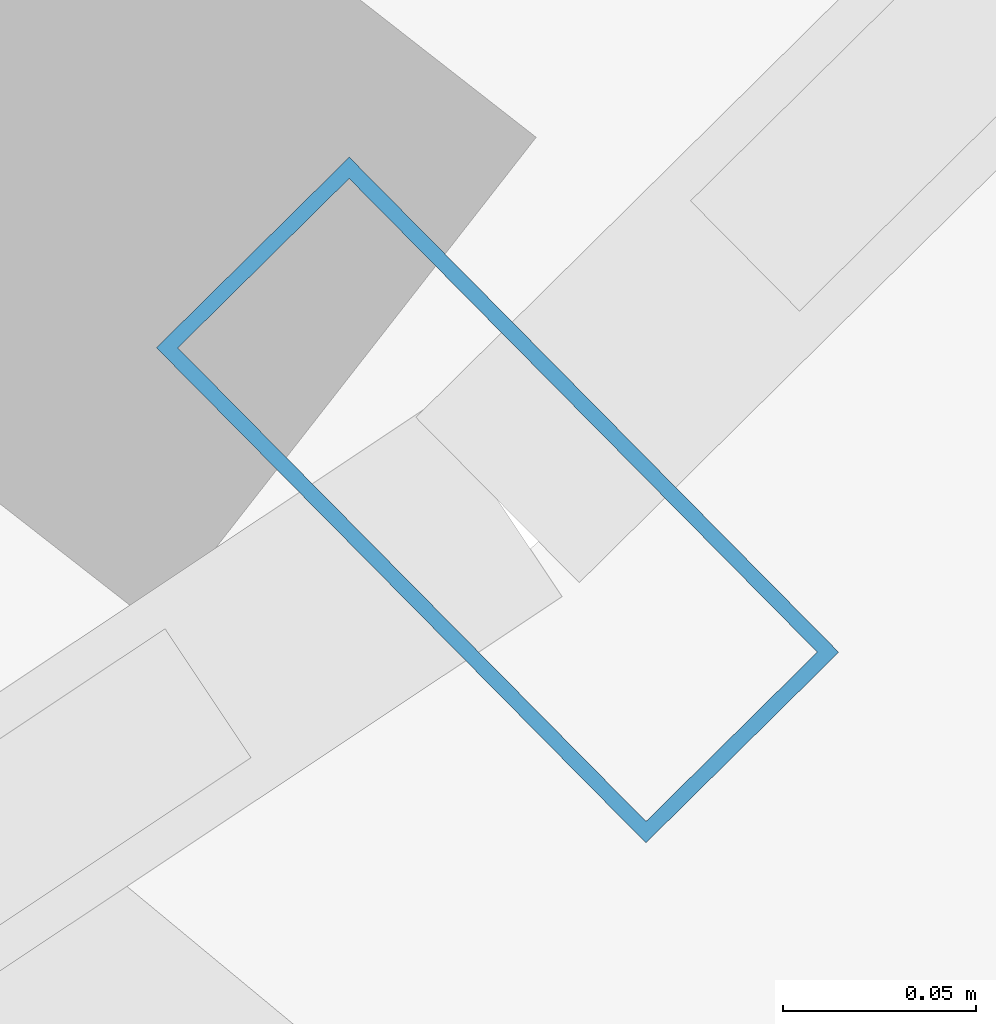
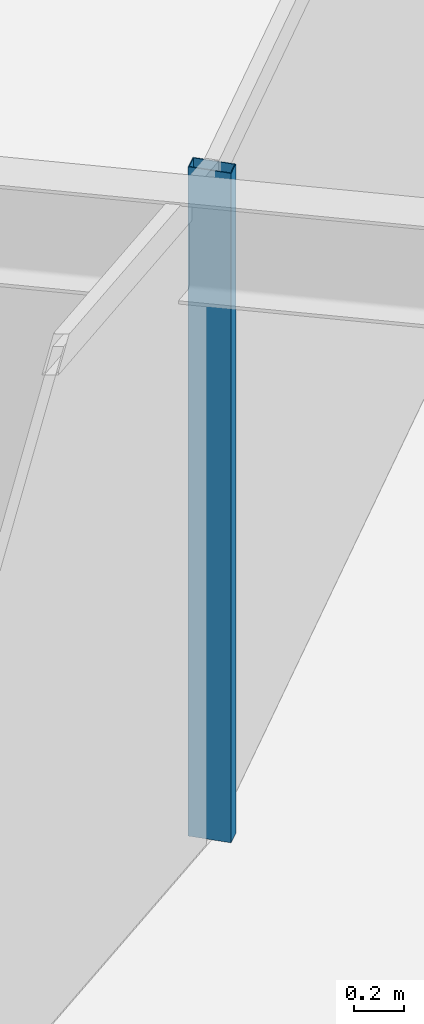
# One storey, part 8 of 20: 1 member, 1 element without a shape of its own.
"""IFC4 building model written with IfcOpenShell, lengths in metres."""

from ifc_helpers import new_model, si_unit, direction, frame, origin, origin_2d, place, context, subcontext, project, spatial, hollow_rectangle, extrude, material, layer, layer_set, material_profile, profile_set, type_object, element, aggregate, save


model = new_model("IFC4")

# Units and contexts
model_context = context("Model", 3, precision=1e-05, world=origin(), true_north=direction((0.0, 1.0)))
body_context = subcontext(model_context, "Body", "Model", "MODEL_VIEW")
ifc_project = project(units=[si_unit("LENGTHUNIT", "METRE"), si_unit("AREAUNIT", "SQUARE_METRE"), si_unit("VOLUMEUNIT", "CUBIC_METRE"), si_unit("PLANEANGLEUNIT", "RADIAN"), si_unit("MASSUNIT", "GRAM", prefix="KILO")], contexts=[model_context])

# Site, building, storey
site_placement = place(None, origin())
site = spatial("IfcSite", under=ifc_project, at=site_placement, CompositionType="ELEMENT")
building_placement = place(site_placement, origin())
building = spatial("IfcBuilding", under=site, at=building_placement, Name="Veldorina Hangang Commons", CompositionType="ELEMENT")
storey_placement = place(building_placement, frame((0.0, 0.0, 84.39990234375)))
storey = spatial("IfcBuildingStorey", under=building, at=storey_placement, Name="L21", CompositionType="ELEMENT", Elevation=84.39990234375)

# Curtain wall, member
ifc_material_1 = material(Name="Glass Low-E Triple IGU", Category="glass")
ifc_layer = layer(ifc_material_1, 0.179931640625)
ifc_layer_set = layer_set([ifc_layer], Name="Glass Low-E Triple IGU")
curtain_wall_type = type_object("IfcCurtainWallType", Name="CW-SYS-Z1", PredefinedType="NOTDEFINED", material=ifc_layer_set)
curtain_wall_placement = place(storey_placement, origin())
curtain_wall = element("IfcCurtainWall", 1, at=curtain_wall_placement, inside=storey, type_object=curtain_wall_type, Name="L21 unitised curtain wall CW-L21-R2", PredefinedType="NOTDEFINED")
ifc_material_2 = material(Name="Aluminium Anodized AA6063-T6", Category="aluminium")
ifc_material_profile = material_profile(ifc_material_2, hollow_rectangle(XDim=0.070068359375, YDim=0.179931640625, WallThickness=0.00390625, at=origin_2d()), Name="ALU-RHS-180x70x4")
ifc_profile_set = profile_set([ifc_material_profile], Name="Aluminium Anodized AA6063-T6")
member_type = type_object("IfcMemberType", Name="CW-MUL-180", PredefinedType="MULLION", material=ifc_profile_set)
member_placement = place(storey_placement, frame((50.709228515625, 8.82177734375, 0.0), z_axis=(0.0, 0.0, 1.0), x_axis=(0.711179942974, 0.703010020349, 0.0)))
member = element("IfcMember", 2, at=member_placement, type_object=member_type, Name="CW-L21-R2 vertical mullion 2", PredefinedType="MULLION", context=body_context, shape_type="SweptSolid", body=[
    extrude(hollow_rectangle(XDim=0.070068359375, YDim=0.179931640625, WallThickness=0.00390625, at=origin_2d()), origin(), (0.0, 0.0, 1.0), 3.300048828125),
])
aggregate(curtain_wall, [member])

save(model, "model.ifc")
